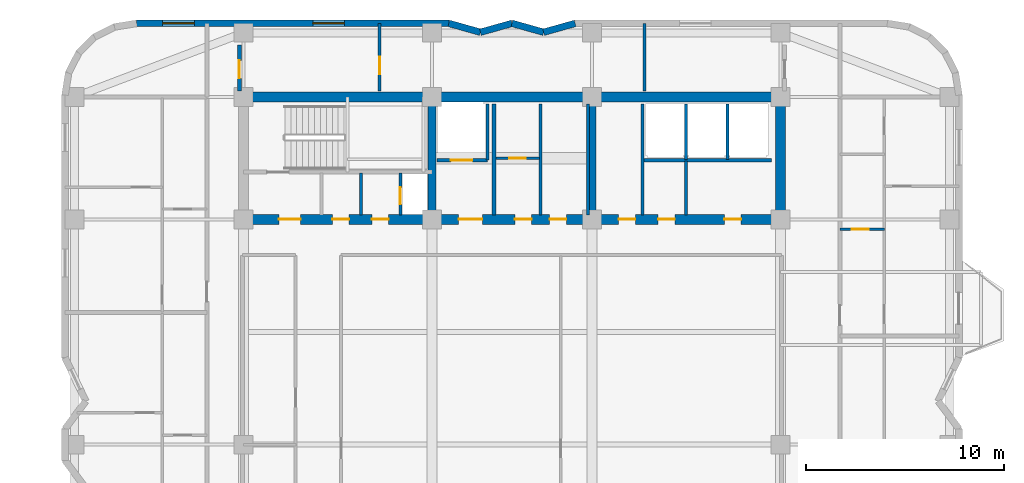
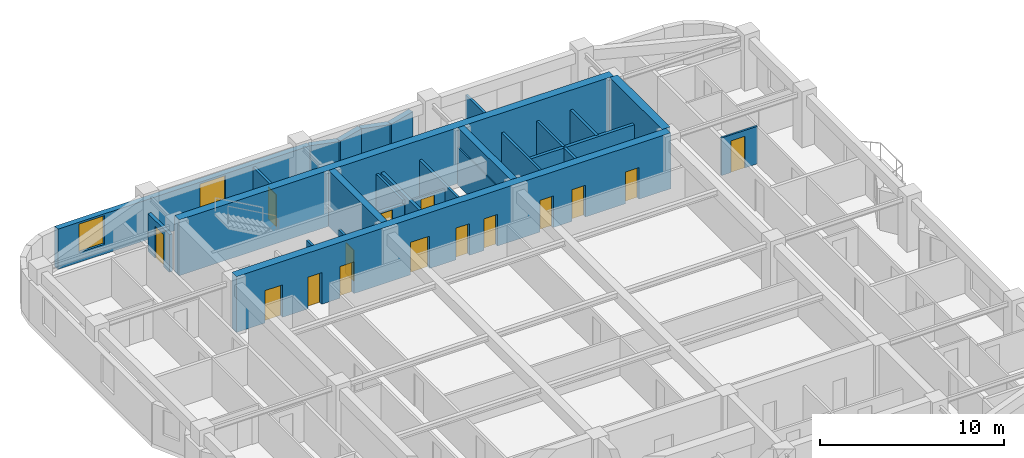
# One storey, part 6 of 9: 27 walls, 15 doors, 2 windows, 17 openings.
"""IFC4 building model written with IfcOpenShell, lengths in metres."""

import ifcopenshell
import ifcopenshell.guid

model = None  # the IFC model being written
_history = None  # IfcOwnerHistory: only IFC2X3 demands one
_inside = {}  # id of a spatial element -> (the spatial element, [elements in it])
_under = {}  # id of a project, library or spatial element -> (it, [spatial elements below it])
_declared = {}  # id of a project -> (the project, [libraries it declares])
_typed = {}  # id of a type object -> (the type object, [elements of that type])
_made_of = {}  # id of a material, layer set ... -> (it, [elements and type objects made of it])


def new_model(schema):
    """Start an empty IFC model of exactly this schema.

    Asked for "IFC4X3", IfcOpenShell would pick the latest addendum, in which some entities
    have other attributes; the version numbers below select the first issue.
    IFC2X3 requires an IfcOwnerHistory on every rooted entity: one is made here for all.
    """
    global model, _history
    if schema == "IFC4X3":
        model = ifcopenshell.file(schema_version=(4, 3, 0, 0))
    else:
        model = ifcopenshell.file(schema=schema)
    _inside.clear()
    _under.clear()
    _declared.clear()
    _typed.clear()
    _made_of.clear()
    _history = None
    if model.schema == "IFC2X3":
        org = make("IfcOrganization", Name="unknown")
        user = make(
            "IfcPersonAndOrganization",
            ThePerson=make("IfcPerson", FamilyName="unknown"),
            TheOrganization=org,
        )
        app = make(
            "IfcApplication",
            ApplicationDeveloper=org,
            Version="unknown",
            ApplicationFullName="unknown",
            ApplicationIdentifier="unknown",
        )
        _history = make(
            "IfcOwnerHistory",
            OwningUser=user,
            OwningApplication=app,
            ChangeAction="ADDED",
            CreationDate=0,
        )
    return model


def make(cls, **values):
    """One entity of the class cls with the attributes given. An attribute that is None is left unset."""
    return model.create_entity(
        cls, **{name: value for name, value in values.items() if value is not None}
    )


def rooted(cls, **values):
    """An entity with a GlobalId (a new one), such as an element, a storey or a relation."""
    return make(cls, GlobalId=ifcopenshell.guid.new(), OwnerHistory=_history, **values)


def si_unit(unit_type, name, prefix=None):
    """IfcSIUnit, for example si_unit("LENGTHUNIT", "METRE", prefix="MILLI")."""
    return make("IfcSIUnit", UnitType=unit_type, Prefix=prefix, Name=name)


def assignment(units):
    """IfcUnitAssignment: the units of a project."""
    return None if units is None else make("IfcUnitAssignment", Units=units)


def point(xyz):
    """IfcCartesianPoint."""
    return None if xyz is None else make("IfcCartesianPoint", Coordinates=xyz)


def direction(xyz):
    """IfcDirection."""
    return None if xyz is None else make("IfcDirection", DirectionRatios=xyz)


def frame(location, z_axis=None, x_axis=None):
    """IfcAxis2Placement3D, a coordinate frame: its origin and axes. An axis left out is left unset."""
    return make(
        "IfcAxis2Placement3D",
        Location=point(location),
        Axis=direction(z_axis),
        RefDirection=direction(x_axis),
    )


def frame_2d(location, x_axis=None):
    """IfcAxis2Placement2D, a coordinate frame in the plane: its origin and x axis."""
    return make(
        "IfcAxis2Placement2D", Location=point(location), RefDirection=direction(x_axis)
    )


def origin():
    """The frame at (0, 0, 0) with its axes left unset."""
    return frame((0.0, 0.0, 0.0))


def place(relative_to, where):
    """IfcLocalPlacement: puts the frame where relative to a parent placement (None: the world)."""
    return make(
        "IfcLocalPlacement", PlacementRelTo=relative_to, RelativePlacement=where
    )


def context(
    kind, dimensions, precision=None, world=None, true_north=None, identifier=None
):
    """IfcGeometricRepresentationContext, for example the 3D "Model" context."""
    return make(
        "IfcGeometricRepresentationContext",
        ContextIdentifier=identifier,
        ContextType=kind,
        CoordinateSpaceDimension=dimensions,
        Precision=precision,
        WorldCoordinateSystem=world,
        TrueNorth=true_north,
    )


def subcontext(parent, identifier, kind, view, scale=None):
    """IfcGeometricRepresentationSubContext, for example "Body" below "Model"."""
    return make(
        "IfcGeometricRepresentationSubContext",
        ContextIdentifier=identifier,
        ContextType=kind,
        ParentContext=parent,
        TargetScale=scale,
        TargetView=view,
    )


def project(units=None, contexts=None):
    """IfcProject with its units and contexts."""
    return rooted(
        "IfcProject",
        Name="project",
        RepresentationContexts=contexts,
        UnitsInContext=assignment(units),
    )


def spatial(cls, under=None, at=None, **own):
    """A site, building, storey or space (cls), placed at a placement, below another one or the project."""
    s = rooted(cls, ObjectPlacement=at, **own)
    if under is not None:
        _under.setdefault(under.id(), (under, []))[1].append(s)
    return s


def profile(cls, at=None, kind="AREA", **sizes):
    """A parametric profile (cls). Its sizes go by their IFC names, for example OverallWidth=200.0."""
    return make(cls, ProfileType=kind, Position=at, **sizes)


def rectangle(**sizes):
    """IfcRectangleProfileDef."""
    return profile("IfcRectangleProfileDef", **sizes)


def extrude(swept, where, along, depth):
    """IfcExtrudedAreaSolid: the profile swept, set in the frame where, extruded along a direction by depth."""
    return make(
        "IfcExtrudedAreaSolid",
        SweptArea=swept,
        Position=where,
        ExtrudedDirection=direction(along),
        Depth=depth,
    )


def shape(context_of_items, identifier, shape_type, items):
    """IfcShapeRepresentation: the items that make up one representation, for example the "Body"."""
    return make(
        "IfcShapeRepresentation",
        ContextOfItems=context_of_items,
        RepresentationIdentifier=identifier,
        RepresentationType=shape_type,
        Items=items,
    )


def material(Name=None, Category=None):
    """IfcMaterial."""
    return make("IfcMaterial", Name=Name, Category=Category)


def layer(
    of_material, thickness, ventilated=None, Name=None, Category=None, Priority=None
):
    """IfcMaterialLayer: one layer of a wall or slab, of a material (None: an air gap)."""
    return make(
        "IfcMaterialLayer",
        Material=of_material,
        LayerThickness=thickness,
        IsVentilated=ventilated,
        Name=Name,
        Category=Category,
        Priority=Priority,
    )


def layer_set(layers, Name=None):
    """IfcMaterialLayerSet."""
    return make("IfcMaterialLayerSet", MaterialLayers=layers, LayerSetName=Name)


def made_of(thing, what):
    """Note that an element or type object is made of a material, layer set ...; save() writes the relation."""
    if what is not None:
        _made_of.setdefault(what.id(), (what, []))[1].append(thing)
    return thing


def type_object(cls, material=None, **own):
    """A type object (cls), such as IfcWallType, which elements share."""
    return made_of(rooted(cls, **own), material)


def element(
    cls,
    number,
    at=None,
    inside=None,
    cuts=None,
    type_object=None,
    material=None,
    context=None,
    identifier="Body",
    shape_type=None,
    held_by="IfcProductDefinitionShape",
    body=None,
    shapes=None,
    **own,
):
    """One element of the class cls, such as IfcWall. Its Tag is "e" and its number.

    at: its placement. inside: the storey or other place that contains it. cuts: it is an
    opening in that element (IfcRelVoidsElement). A single representation is given by context,
    identifier, shape_type and body (its items); several are given by shapes. held_by: the class
    of the entity that holds the representations. save() writes the other relations.
    """
    e = rooted(cls, Tag="e%d" % number, ObjectPlacement=at, **own)
    if body is not None:
        shapes = [shape(context, identifier, shape_type, body)]
    if shapes is not None:
        e.Representation = make(held_by, Representations=shapes)
    if inside is not None:
        _inside.setdefault(inside.id(), (inside, []))[1].append(e)
    if cuts is not None:
        rooted(
            "IfcRelVoidsElement", RelatingBuildingElement=cuts, RelatedOpeningElement=e
        )
    if type_object is not None:
        _typed.setdefault(type_object.id(), (type_object, []))[1].append(e)
    return made_of(e, material)


def fill(opening, filler):
    """IfcRelFillsElement: the door or window that sits in an opening."""
    return rooted(
        "IfcRelFillsElement",
        RelatingOpeningElement=opening,
        RelatedBuildingElement=filler,
    )


def aggregate(whole, parts):
    """IfcRelAggregates: a whole, such as a stair, and the parts it consists of."""
    return rooted("IfcRelAggregates", RelatingObject=whole, RelatedObjects=parts)


def save(model, path):
    """Write the relations noted so far, then the file.

    IfcRelAggregates (storeys below a building ...), IfcRelContainedInSpatialStructure (elements
    in a storey), IfcRelDefinesByType, IfcRelAssociatesMaterial and IfcRelDeclares: one each for
    every whole, place, type object, material and project.
    """
    for whole, parts in _under.values():
        aggregate(whole, parts)
    for where, things in _inside.values():
        rooted(
            "IfcRelContainedInSpatialStructure",
            RelatedElements=things,
            RelatingStructure=where,
        )
    for kind, things in _typed.values():
        rooted("IfcRelDefinesByType", RelatedObjects=things, RelatingType=kind)
    for what, things in _made_of.values():
        rooted("IfcRelAssociatesMaterial", RelatedObjects=things, RelatingMaterial=what)
    for by, libraries in _declared.values():
        rooted("IfcRelDeclares", RelatingContext=by, RelatedDefinitions=libraries)
    model.write(path)


model = new_model("IFC4")

# Units and contexts
model_context = context("Model", 3, precision=1e-05, world=origin(), true_north=direction((0.0, 1.0)))
body_context = subcontext(model_context, "Body", "Model", "MODEL_VIEW")
ifc_project = project(units=[si_unit("LENGTHUNIT", "METRE"), si_unit("AREAUNIT", "SQUARE_METRE"), si_unit("VOLUMEUNIT", "CUBIC_METRE"), si_unit("PLANEANGLEUNIT", "RADIAN"), si_unit("MASSUNIT", "GRAM", prefix="KILO")], contexts=[model_context])

# Site, building, storey
site_placement = place(None, origin())
site = spatial("IfcSite", under=ifc_project, at=site_placement, CompositionType="ELEMENT")
building_placement = place(site_placement, origin())
building = spatial("IfcBuilding", under=site, at=building_placement, Name="Svetorya Sky Lyceum", CompositionType="ELEMENT")
storey_placement = place(building_placement, frame((0.0, 0.0, 192.199951171875)))
storey = spatial("IfcBuildingStorey", under=building, at=storey_placement, Name="L48", CompositionType="ELEMENT", Elevation=192.199951171875)

# Walls
ifc_material_1 = material(Name="Concrete C40/50", Category="concrete")
ifc_layer_1 = layer(ifc_material_1, 0.39990234375)
ifc_layer_set_1 = layer_set([ifc_layer_1], Name="Concrete C40/50")
wall_type_1 = type_object("IfcWallType", Name="WL-CORE-400", PredefinedType="SHEAR", material=ifc_layer_set_1)
for number, where, z_axis, x_axis, name in (
    (1, (35.14990234375, 39.85009765625, 0.0), (0.0, 0.0, 1.0), (0.0, 1.0, 0.0), "L48 NC Internal Shear Web WEB1"),
    (2, (43.25, 39.85009765625, 0.0), (0.0, 0.0, 1.0), (0.0, 1.0, 0.0), "L48 NC Internal Shear Web WEB2"),
):
    element("IfcWall", number, at=place(storey_placement, frame(where, z_axis=z_axis, x_axis=x_axis)), inside=storey, type_object=wall_type_1, Name=name, PredefinedType="SHEAR", context=body_context, shape_type="SweptSolid", body=[
        extrude(rectangle(XDim=5.699951171875, YDim=0.39990234375, at=frame_2d((2.85009765625, 0.0))), origin(), (0.0, 0.0, 1.0), 3.699951171875),
    ])
ifc_material_2 = material(Name="Concrete C50/60", Category="concrete")
ifc_layer_2 = layer(ifc_material_2, 0.5)
ifc_layer_set_2 = layer_set([ifc_layer_2], Name="Concrete C50/60")
wall_type_2 = type_object("IfcWallType", Name="WL-CORE-500", PredefinedType="SHEAR", material=ifc_layer_set_2)
wall_1_placement = place(storey_placement, frame((25.60009765625, 45.800048828125, 0.0), z_axis=(0.0, 0.0, 1.0), x_axis=(1.0, 0.0, 0.0)))
element("IfcWall", 3, at=wall_1_placement, inside=storey, type_object=wall_type_2, Name="L48 NC Outer Core Shear Wall", PredefinedType="SHEAR", context=body_context, shape_type="SweptSolid", body=[
    extrude(rectangle(XDim=27.199951171875, YDim=0.5, at=frame_2d((13.60009765625, 0.0))), origin(), (0.0, 0.0, 1.0), 3.699951171875),
])
wall_2_placement = place(storey_placement, frame((52.800048828125, 39.85009765625, 0.0), z_axis=(0.0, 0.0, 1.0), x_axis=(0.0, 1.0, 0.0)))
element("IfcWall", 4, at=wall_2_placement, inside=storey, type_object=wall_type_2, Name="L48 NC East Core Shear Wall", PredefinedType="SHEAR", context=body_context, shape_type="SweptSolid", body=[
    extrude(rectangle(XDim=5.699951171875, YDim=0.5, at=frame_2d((2.85009765625, 0.0))), origin(), (0.0, 0.0, 1.0), 3.699951171875),
])

# Wall, openings, doors
wall_3_placement = place(storey_placement, frame((52.800048828125, 39.60009765625, 0.0), z_axis=(0.0, 0.0, 1.0), x_axis=(-1.0, 0.0, 0.0)))
wall_3 = element("IfcWall", 5, at=wall_3_placement, inside=storey, type_object=wall_type_2, Name="L48 NC Inner Core Shear Wall", PredefinedType="SHEAR", context=body_context, shape_type="SweptSolid", body=[
    extrude(rectangle(XDim=27.199951171875, YDim=0.5, at=frame_2d((13.60009765625, 0.0))), origin(), (0.0, 0.0, 1.0), 3.699951171875),
])
opening_1_placement = place(wall_3_placement, frame((24.300048828125, 0.0, 0.0)))
opening_1 = element("IfcOpeningElement", 6, at=opening_1_placement, cuts=wall_3, Name="Opening D-ST1", PredefinedType="OPENING", context=body_context, shape_type="SweptSolid", body=[
    extrude(rectangle(XDim=1.10009765625, YDim=2.14990234375, at=frame_2d((0.550048828125, 1.074951171875))), frame((0.0, 0.260009765625, 0.0), z_axis=(0.0, -1.0, 0.0), x_axis=(1.0, 0.0, 0.0)), (0.0, 0.0, 1.0), 0.52001953125),
])
opening_2_placement = place(wall_3_placement, frame((21.85009765625, 0.0, 0.0)))
opening_2 = element("IfcOpeningElement", 7, at=opening_2_placement, cuts=wall_3, Name="Opening D-CWC1", PredefinedType="OPENING", context=body_context, shape_type="SweptSolid", body=[
    extrude(rectangle(XDim=0.85009765625, YDim=2.10009765625, at=frame_2d((0.425048828125, 1.050048828125))), frame((0.0, 0.260009765625, 0.0), z_axis=(0.0, -1.0, 0.0), x_axis=(1.0, 0.0, 0.0)), (0.0, 0.0, 1.0), 0.52001953125),
])
opening_3_placement = place(wall_3_placement, frame((19.85009765625, 0.0, 0.0)))
opening_3 = element("IfcOpeningElement", 8, at=opening_3_placement, cuts=wall_3, Name="Opening D-CWC1", PredefinedType="OPENING", context=body_context, shape_type="SweptSolid", body=[
    extrude(rectangle(XDim=0.85009765625, YDim=2.10009765625, at=frame_2d((0.425048828125, 1.050048828125))), frame((0.0, 0.260009765625, 0.0), z_axis=(0.0, -1.0, 0.0), x_axis=(1.0, 0.0, 0.0)), (0.0, 0.0, 1.0), 0.52001953125),
])
opening_4_placement = place(wall_3_placement, frame((15.10009765625, 0.0, 0.0)))
opening_4 = element("IfcOpeningElement", 9, at=opening_4_placement, cuts=wall_3, Name="Opening D-FL1", PredefinedType="OPENING", context=body_context, shape_type="SweptSolid", body=[
    extrude(rectangle(XDim=1.199951171875, YDim=2.14990234375, at=frame_2d((0.60009765625, 1.074951171875))), frame((0.0, 0.260009765625, 0.0), z_axis=(0.0, -1.0, 0.0), x_axis=(1.0, 0.0, 0.0)), (0.0, 0.0, 1.0), 0.52001953125),
])
opening_5_placement = place(wall_3_placement, frame((12.60009765625, 0.0, 0.0)))
opening_5 = element("IfcOpeningElement", 10, at=opening_5_placement, cuts=wall_3, Name="Opening D-CWC1", PredefinedType="OPENING", context=body_context, shape_type="SweptSolid", body=[
    extrude(rectangle(XDim=0.85009765625, YDim=2.10009765625, at=frame_2d((0.425048828125, 1.050048828125))), frame((0.0, 0.260009765625, 0.0), z_axis=(0.0, -1.0, 0.0), x_axis=(1.0, 0.0, 0.0)), (0.0, 0.0, 1.0), 0.52001953125),
])
opening_6_placement = place(wall_3_placement, frame((10.85009765625, 0.0, 0.0)))
opening_6 = element("IfcOpeningElement", 11, at=opening_6_placement, cuts=wall_3, Name="Opening D-CWC1", PredefinedType="OPENING", context=body_context, shape_type="SweptSolid", body=[
    extrude(rectangle(XDim=0.85009765625, YDim=2.10009765625, at=frame_2d((0.425048828125, 1.050048828125))), frame((0.0, 0.260009765625, 0.0), z_axis=(0.0, -1.0, 0.0), x_axis=(1.0, 0.0, 0.0)), (0.0, 0.0, 1.0), 0.52001953125),
])
opening_7_placement = place(wall_3_placement, frame((7.35009765625, 0.0, 0.0)))
opening_7 = element("IfcOpeningElement", 12, at=opening_7_placement, cuts=wall_3, Name="Opening D-CWC1", PredefinedType="OPENING", context=body_context, shape_type="SweptSolid", body=[
    extrude(rectangle(XDim=0.85009765625, YDim=2.10009765625, at=frame_2d((0.425048828125, 1.050048828125))), frame((0.0, 0.260009765625, 0.0), z_axis=(0.0, -1.0, 0.0), x_axis=(1.0, 0.0, 0.0)), (0.0, 0.0, 1.0), 0.52001953125),
])
opening_8_placement = place(wall_3_placement, frame((5.35009765625, 0.0, 0.0)))
opening_8 = element("IfcOpeningElement", 13, at=opening_8_placement, cuts=wall_3, Name="Opening D-CWC1", PredefinedType="OPENING", context=body_context, shape_type="SweptSolid", body=[
    extrude(rectangle(XDim=0.85009765625, YDim=2.10009765625, at=frame_2d((0.425048828125, 1.050048828125))), frame((0.0, 0.260009765625, 0.0), z_axis=(0.0, -1.0, 0.0), x_axis=(1.0, 0.0, 0.0)), (0.0, 0.0, 1.0), 0.52001953125),
])
opening_9_placement = place(wall_3_placement, frame((2.0, 0.0, 0.0)))
opening_9 = element("IfcOpeningElement", 14, at=opening_9_placement, cuts=wall_3, Name="Opening D-CWC1", PredefinedType="OPENING", context=body_context, shape_type="SweptSolid", body=[
    extrude(rectangle(XDim=0.85009765625, YDim=2.10009765625, at=frame_2d((0.425048828125, 1.050048828125))), frame((0.0, 0.260009765625, 0.0), z_axis=(0.0, -1.0, 0.0), x_axis=(1.0, 0.0, 0.0)), (0.0, 0.0, 1.0), 0.52001953125),
])
ifc_material_3 = material(Name="Fire-rated galvanized steel core service closet door", Category="steel")
door_type_1 = type_object("IfcDoorType", Name="DR-CWET-850", OperationType="SINGLE_SWING_LEFT", PredefinedType="DOOR", material=ifc_material_3)
door_1_placement = place(opening_2_placement, origin())
door_1 = element("IfcDoor", 15, at=door_1_placement, inside=storey, type_object=door_type_1, Name="L48 North Cleaner Door", OperationType="SINGLE_SWING_RIGHT", OverallHeight=2.10009765625, OverallWidth=0.85009765625, PredefinedType="DOOR", context=body_context, shape_type="SweptSolid", body=[
    extrude(rectangle(XDim=0.85009765625, YDim=2.10009765625, at=frame_2d((0.425048828125, 1.050048828125))), frame((0.0, 0.02490234375, 0.0), z_axis=(0.0, -1.0, 0.0), x_axis=(1.0, 0.0, 0.0)), (0.0, 0.0, 1.0), 0.050048828125),
])
fill(opening_2, door_1)
door_2_placement = place(opening_3_placement, origin())
door_2 = element("IfcDoor", 16, at=door_2_placement, inside=storey, type_object=door_type_1, Name="L48 North Meter Door", OperationType="SINGLE_SWING_LEFT", OverallHeight=2.10009765625, OverallWidth=0.85009765625, PredefinedType="DOOR", context=body_context, shape_type="SweptSolid", body=[
    extrude(rectangle(XDim=0.85009765625, YDim=2.10009765625, at=frame_2d((0.425048828125, 1.050048828125))), frame((0.0, 0.02490234375, 0.0), z_axis=(0.0, -1.0, 0.0), x_axis=(1.0, 0.0, 0.0)), (0.0, 0.0, 1.0), 0.050048828125),
])
fill(opening_3, door_2)
door_3_placement = place(opening_5_placement, origin())
door_3 = element("IfcDoor", 17, at=door_3_placement, inside=storey, type_object=door_type_1, Name="L48 Cleaner Vestibule Door", OperationType="SINGLE_SWING_LEFT", OverallHeight=2.10009765625, OverallWidth=0.85009765625, PredefinedType="DOOR", context=body_context, shape_type="SweptSolid", body=[
    extrude(rectangle(XDim=0.85009765625, YDim=2.10009765625, at=frame_2d((0.425048828125, 1.050048828125))), frame((0.0, 0.02490234375, 0.0), z_axis=(0.0, -1.0, 0.0), x_axis=(1.0, 0.0, 0.0)), (0.0, 0.0, 1.0), 0.050048828125),
])
fill(opening_5, door_3)
door_4_placement = place(opening_6_placement, origin())
door_4 = element("IfcDoor", 18, at=door_4_placement, inside=storey, type_object=door_type_1, Name="L48 Upper Pram Store Door", OperationType="SINGLE_SWING_RIGHT", OverallHeight=2.10009765625, OverallWidth=0.85009765625, PredefinedType="DOOR", context=body_context, shape_type="SweptSolid", body=[
    extrude(rectangle(XDim=0.85009765625, YDim=2.10009765625, at=frame_2d((0.425048828125, 1.050048828125))), frame((0.0, 0.02490234375, 0.0), z_axis=(0.0, -1.0, 0.0), x_axis=(1.0, 0.0, 0.0)), (0.0, 0.0, 1.0), 0.050048828125),
])
fill(opening_6, door_4)
door_5_placement = place(opening_7_placement, origin())
door_5 = element("IfcDoor", 19, at=door_5_placement, inside=storey, type_object=door_type_1, Name="L48 High-Zone Utility Room Door", OperationType="SINGLE_SWING_LEFT", OverallHeight=2.10009765625, OverallWidth=0.85009765625, PredefinedType="DOOR", context=body_context, shape_type="SweptSolid", body=[
    extrude(rectangle(XDim=0.85009765625, YDim=2.10009765625, at=frame_2d((0.425048828125, 1.050048828125))), frame((0.0, 0.02490234375, 0.0), z_axis=(0.0, -1.0, 0.0), x_axis=(1.0, 0.0, 0.0)), (0.0, 0.0, 1.0), 0.050048828125),
])
fill(opening_7, door_5)
door_6_placement = place(opening_8_placement, origin())
door_6 = element("IfcDoor", 20, at=door_6_placement, inside=storey, type_object=door_type_1, Name="L48 North Electrical Door", OperationType="SINGLE_SWING_LEFT", OverallHeight=2.10009765625, OverallWidth=0.85009765625, PredefinedType="DOOR", context=body_context, shape_type="SweptSolid", body=[
    extrude(rectangle(XDim=0.85009765625, YDim=2.10009765625, at=frame_2d((0.425048828125, 1.050048828125))), frame((0.0, 0.02490234375, 0.0), z_axis=(0.0, -1.0, 0.0), x_axis=(1.0, 0.0, 0.0)), (0.0, 0.0, 1.0), 0.050048828125),
])
fill(opening_8, door_6)
door_7_placement = place(opening_9_placement, origin())
door_7 = element("IfcDoor", 21, at=door_7_placement, inside=storey, type_object=door_type_1, Name="L48 North Pram Door", OperationType="SINGLE_SWING_RIGHT", OverallHeight=2.10009765625, OverallWidth=0.85009765625, PredefinedType="DOOR", context=body_context, shape_type="SweptSolid", body=[
    extrude(rectangle(XDim=0.85009765625, YDim=2.10009765625, at=frame_2d((0.425048828125, 1.050048828125))), frame((0.0, 0.02490234375, 0.0), z_axis=(0.0, -1.0, 0.0), x_axis=(1.0, 0.0, 0.0)), (0.0, 0.0, 1.0), 0.050048828125),
])
fill(opening_9, door_7)
ifc_material_4 = material(Name="Powder-coated insulated galvanized stair fire door")
door_type_2 = type_object("IfcDoorType", Name="DR-FIRE-1100", OperationType="SINGLE_SWING_LEFT", PredefinedType="DOOR", material=ifc_material_4)
door_8_placement = place(opening_1_placement, origin())
door_8 = element("IfcDoor", 22, at=door_8_placement, inside=storey, type_object=door_type_2, Name="L48 North Stair Airlock Door", OperationType="SINGLE_SWING_LEFT", OverallHeight=2.14990234375, OverallWidth=1.10009765625, PredefinedType="DOOR", context=body_context, shape_type="SweptSolid", body=[
    extrude(rectangle(XDim=1.10009765625, YDim=2.14990234375, at=frame_2d((0.550048828125, 1.074951171875))), frame((0.0, 0.02490234375, 0.0), z_axis=(0.0, -1.0, 0.0), x_axis=(1.0, 0.0, 0.0)), (0.0, 0.0, 1.0), 0.050048828125),
])
fill(opening_1, door_8)
ifc_material_5 = material(Name="Powder-coated insulated galvanized fire door")
door_type_3 = type_object("IfcDoorType", Name="DR-FIRE-1200", OperationType="SINGLE_SWING_LEFT", PredefinedType="DOOR", material=ifc_material_5)
door_9_placement = place(opening_4_placement, origin())
door_9 = element("IfcDoor", 23, at=door_9_placement, inside=storey, type_object=door_type_3, Name="L48 North Firefighting Lift Lobby Door", OperationType="SINGLE_SWING_RIGHT", OverallHeight=2.14990234375, OverallWidth=1.199951171875, PredefinedType="DOOR", context=body_context, shape_type="SweptSolid", body=[
    extrude(rectangle(XDim=1.199951171875, YDim=2.14990234375, at=frame_2d((0.60009765625, 1.074951171875))), frame((0.0, 0.02490234375, 0.0), z_axis=(0.0, -1.0, 0.0), x_axis=(1.0, 0.0, 0.0)), (0.0, 0.0, 1.0), 0.050048828125),
])
fill(opening_4, door_9)

# Walls
ifc_material_6 = material(Name="Putilovo limestone rainscreen on autoclaved cellular masonry", Category="masonry")
ifc_layer_3 = layer(ifc_material_6, 0.340087890625)
ifc_layer_set_3 = layer_set([ifc_layer_3], Name="Putilovo limestone rainscreen on autoclaved cellular masonry")
wall_type_3 = type_object("IfcWallType", Name="WL-EXT-340", PredefinedType="SOLIDWALL", material=ifc_layer_set_3)
wall_4_placement = place(storey_placement, frame((42.39990234375, 49.530029296875, 0.0), z_axis=(0.0, 0.0, 1.0), x_axis=(-0.962652136636, -0.270741322725, 0.0)))
element("IfcWall", 24, at=wall_4_placement, inside=storey, type_object=wall_type_3, Name="L48 Limestone Exterior Wall 30M", PredefinedType="SOLIDWALL", context=body_context, shape_type="SweptSolid", body=[
    extrude(rectangle(XDim=1.661865234375, YDim=0.340087890625, at=frame_2d((0.8310546875, 0.0))), origin(), (0.0, 0.0, 1.0), 2.66015625),
])
wall_5_placement = place(storey_placement, frame((40.800048828125, 49.080078125, 0.0), z_axis=(0.0, 0.0, 1.0), x_axis=(-0.962662902433, 0.270703040766, 0.0)))
element("IfcWall", 25, at=wall_5_placement, inside=storey, type_object=wall_type_3, Name="L48 Limestone Exterior Wall 31M", PredefinedType="SOLIDWALL", context=body_context, shape_type="SweptSolid", body=[
    extrude(rectangle(XDim=1.662109375, YDim=0.340087890625, at=frame_2d((0.8310546875, 0.0))), origin(), (0.0, 0.0, 1.0), 2.66015625),
])
wall_6_placement = place(storey_placement, frame((39.199951171875, 49.530029296875, 0.0), z_axis=(0.0, 0.0, 1.0), x_axis=(-0.962652136636, -0.270741322725, 0.0)))
element("IfcWall", 26, at=wall_6_placement, inside=storey, type_object=wall_type_3, Name="L48 Limestone Exterior Wall 32M", PredefinedType="SOLIDWALL", context=body_context, shape_type="SweptSolid", body=[
    extrude(rectangle(XDim=1.661865234375, YDim=0.340087890625, at=frame_2d((0.8310546875, 0.0))), origin(), (0.0, 0.0, 1.0), 2.66015625),
])
wall_7_placement = place(storey_placement, frame((37.60009765625, 49.080078125, 0.0), z_axis=(0.0, 0.0, 1.0), x_axis=(-0.962662902433, 0.270703040766, 0.0)))
element("IfcWall", 27, at=wall_7_placement, inside=storey, type_object=wall_type_3, Name="L48 Limestone Exterior Wall 33M", PredefinedType="SOLIDWALL", context=body_context, shape_type="SweptSolid", body=[
    extrude(rectangle(XDim=1.662109375, YDim=0.340087890625, at=frame_2d((0.8310546875, 0.0))), origin(), (0.0, 0.0, 1.0), 2.66015625),
])

# Wall, openings, windows
wall_8_placement = place(storey_placement, frame((36.0, 49.530029296875, 0.0), z_axis=(0.0, 0.0, 1.0), x_axis=(-1.0, 0.0, 0.0)))
wall_8 = element("IfcWall", 28, at=wall_8_placement, inside=storey, type_object=wall_type_3, Name="L48 Limestone Exterior Wall 34M", PredefinedType="SOLIDWALL", context=body_context, shape_type="SweptSolid", body=[
    extrude(rectangle(XDim=15.800048828125, YDim=0.340087890625, at=frame_2d((7.89990234375, 0.0))), origin(), (0.0, 0.0, 1.0), 2.66015625),
])
opening_10_placement = place(wall_8_placement, frame((5.28759765625, 0.0, 0.639892578125)))
opening_10 = element("IfcOpeningElement", 29, at=opening_10_placement, cuts=wall_8, Name="Opening W-R4", PredefinedType="OPENING", context=body_context, shape_type="SweptSolid", body=[
    extrude(rectangle(XDim=1.60009765625, YDim=1.89990234375, at=frame_2d((0.800048828125, 0.949951171875))), frame((0.0, 0.179931640625, 0.0), z_axis=(0.0, -1.0, 0.0), x_axis=(1.0, 0.0, 0.0)), (0.0, 0.0, 1.0), 0.360107421875),
])
opening_11_placement = place(wall_8_placement, frame((12.887451171875, 0.0, 0.639892578125)))
opening_11 = element("IfcOpeningElement", 30, at=opening_11_placement, cuts=wall_8, Name="Opening W-R4", PredefinedType="OPENING", context=body_context, shape_type="SweptSolid", body=[
    extrude(rectangle(XDim=1.60009765625, YDim=1.89990234375, at=frame_2d((0.800048828125, 0.949951171875))), frame((0.0, 0.179931640625, 0.0), z_axis=(0.0, -1.0, 0.0), x_axis=(1.0, 0.0, 0.0)), (0.0, 0.0, 1.0), 0.360107421875),
])
ifc_material_7 = material(Name="Thermally broken aluminium frame with triple low-E glazing", Category="aluminium")
window_type = type_object("IfcWindowType", Name="WN-RES-160", PartitioningType="DOUBLE_PANEL_VERTICAL", PredefinedType="WINDOW", material=ifc_material_7)
window_1_placement = place(opening_10_placement, origin())
window_1 = element("IfcWindow", 31, at=window_1_placement, inside=storey, type_object=window_type, Name="L48 Facade Window W-R4.34M.1", OverallHeight=1.89990234375, OverallWidth=1.60009765625, PartitioningType="SINGLE_PANEL", PredefinedType="WINDOW", context=body_context, shape_type="SweptSolid", body=[
    extrude(rectangle(XDim=1.60009765625, YDim=1.89990234375, at=frame_2d((0.800048828125, 0.949951171875))), frame((0.0, 0.030029296875, 0.0), z_axis=(0.0, -1.0, 0.0), x_axis=(1.0, 0.0, 0.0)), (0.0, 0.0, 1.0), 0.06005859375),
])
fill(opening_10, window_1)
window_2_placement = place(opening_11_placement, origin())
window_2 = element("IfcWindow", 32, at=window_2_placement, inside=storey, type_object=window_type, Name="L48 Facade Window W-R4.34M.2", OverallHeight=1.89990234375, OverallWidth=1.60009765625, PartitioningType="SINGLE_PANEL", PredefinedType="WINDOW", context=body_context, shape_type="SweptSolid", body=[
    extrude(rectangle(XDim=1.60009765625, YDim=1.89990234375, at=frame_2d((0.800048828125, 0.949951171875))), frame((0.0, 0.030029296875, 0.0), z_axis=(0.0, -1.0, 0.0), x_axis=(1.0, 0.0, 0.0)), (0.0, 0.0, 1.0), 0.06005859375),
])
fill(opening_11, window_2)

# Wall, opening, door
ifc_material_8 = material(Name="Twin-stud galvanized framing with double fireboard", Category="gypsum")
ifc_layer_4 = layer(ifc_material_8, 0.1201171875)
ifc_layer_set_4 = layer_set([ifc_layer_4], Name="Twin-stud galvanized framing with double fireboard")
wall_type_4 = type_object("IfcWallType", Name="WL-PART-120", PredefinedType="PARTITIONING", material=ifc_layer_set_4)
wall_9_placement = place(storey_placement, frame((38.39990234375, 42.699951171875, 0.0), z_axis=(0.0, 0.0, 1.0), x_axis=(1.0, 0.0, 0.0)))
wall_9 = element("IfcWall", 33, at=wall_9_placement, inside=storey, type_object=wall_type_4, Name="L48 Interior Partition NC-FPM-H", PredefinedType="PARTITIONING", context=body_context, shape_type="SweptSolid", body=[
    extrude(rectangle(XDim=2.2001953125, YDim=0.1201171875, at=frame_2d((1.10009765625, 0.0))), origin(), (0.0, 0.0, 1.0), 2.260009765625),
])
opening_12_placement = place(wall_9_placement, frame((0.64990234375, 0.0, 0.0)))
opening_12 = element("IfcOpeningElement", 34, at=opening_12_placement, cuts=wall_9, Name="Opening D-CWC1", PredefinedType="OPENING", context=body_context, shape_type="SweptSolid", body=[
    extrude(rectangle(XDim=0.85009765625, YDim=2.10009765625, at=frame_2d((0.425048828125, 1.050048828125))), frame((0.0, 0.070068359375, 0.0), z_axis=(0.0, -1.0, 0.0), x_axis=(1.0, 0.0, 0.0)), (0.0, 0.0, 1.0), 0.14013671875),
])
door_10_placement = place(opening_12_placement, origin())
door_10 = element("IfcDoor", 35, at=door_10_placement, inside=storey, type_object=door_type_1, Name="L48 Rear IT Closet Door", OperationType="SINGLE_SWING_LEFT", OverallHeight=2.10009765625, OverallWidth=0.85009765625, PredefinedType="DOOR", context=body_context, shape_type="SweptSolid", body=[
    extrude(rectangle(XDim=0.85009765625, YDim=2.10009765625, at=frame_2d((0.425048828125, 1.050048828125))), frame((0.0, 0.02490234375, 0.0), z_axis=(0.0, -1.0, 0.0), x_axis=(1.0, 0.0, 0.0)), (0.0, 0.0, 1.0), 0.050048828125),
])
fill(opening_12, door_10)

wall_10_placement = place(storey_placement, frame((55.800048828125, 39.10009765625, 0.0), z_axis=(0.0, 0.0, 1.0), x_axis=(1.0, 0.0, 0.0)))
wall_10 = element("IfcWall", 36, at=wall_10_placement, inside=storey, type_object=wall_type_4, Name="L48 Interior Partition E3-WH1", PredefinedType="PARTITIONING", context=body_context, shape_type="SweptSolid", body=[
    extrude(rectangle(XDim=2.25, YDim=0.1201171875, at=frame_2d((1.125, 0.0))), origin(), (0.0, 0.0, 1.0), 2.489990234375),
])
opening_13_placement = place(wall_10_placement, frame((0.60009765625, 0.0, 0.0)))
opening_13 = element("IfcOpeningElement", 37, at=opening_13_placement, cuts=wall_10, Name="Opening D-BT1", PredefinedType="OPENING", context=body_context, shape_type="SweptSolid", body=[
    extrude(rectangle(XDim=0.85009765625, YDim=2.10009765625, at=frame_2d((0.425048828125, 1.050048828125))), frame((0.0, 0.070068359375, 0.0), z_axis=(0.0, -1.0, 0.0), x_axis=(1.0, 0.0, 0.0)), (0.0, 0.0, 1.0), 0.14013671875),
])
ifc_material_9 = material(Name="Moisture-resistant laminate bathroom door")
door_type_4 = type_object("IfcDoorType", Name="DR-WET-850", OperationType="SINGLE_SWING_LEFT", PredefinedType="DOOR", material=ifc_material_9)
door_11_placement = place(opening_13_placement, origin())
door_11 = element("IfcDoor", 38, at=door_11_placement, inside=storey, type_object=door_type_4, Name="Apartment E3 Bathroom Door", OperationType="SINGLE_SWING_RIGHT", OverallHeight=2.10009765625, OverallWidth=0.85009765625, PredefinedType="DOOR", context=body_context, shape_type="SweptSolid", body=[
    extrude(rectangle(XDim=0.85009765625, YDim=2.10009765625, at=frame_2d((0.425048828125, 1.050048828125))), frame((0.0, 0.02490234375, 0.0), z_axis=(0.0, -1.0, 0.0), x_axis=(1.0, 0.0, 0.0)), (0.0, 0.0, 1.0), 0.050048828125),
])
fill(opening_13, door_11)

ifc_material_10 = material(Name="Autoclaved cellular masonry blockwork with acoustic render", Category="masonry")
ifc_layer_5 = layer(ifc_material_10, 0.14990234375)
ifc_layer_set_5 = layer_set([ifc_layer_5], Name="Autoclaved cellular masonry blockwork with acoustic render")
wall_type_5 = type_object("IfcWallType", Name="WL-PART-150", PredefinedType="PARTITIONING", material=ifc_layer_set_5)
wall_11_placement = place(storey_placement, frame((33.550048828125, 39.820068359375, 0.0), z_axis=(0.0, 0.0, 1.0), x_axis=(0.0, 1.0, 0.0)))
wall_11 = element("IfcWall", 39, at=wall_11_placement, inside=storey, type_object=wall_type_5, Name="L48 Interior Partition NC-RSRW", PredefinedType="PARTITIONING", context=body_context, shape_type="SweptSolid", body=[
    extrude(rectangle(XDim=2.1298828125, YDim=0.14990234375, at=frame_2d((1.06494140625, 0.0))), origin(), (0.0, 0.0, 1.0), 2.489990234375),
])
opening_14_placement = place(wall_11_placement, frame((0.550048828125, 0.0, 0.0)))
opening_14 = element("IfcOpeningElement", 40, at=opening_14_placement, cuts=wall_11, Name="Opening D-SH1", PredefinedType="OPENING", context=body_context, shape_type="SweptSolid", body=[
    extrude(rectangle(XDim=0.85009765625, YDim=2.050048828125, at=frame_2d((0.425048828125, 1.02490234375))), frame((0.0, 0.0849609375, 0.0), z_axis=(0.0, -1.0, 0.0), x_axis=(1.0, 0.0, 0.0)), (0.0, 0.0, 1.0), 0.169921875),
])
ifc_material_11 = material(Name="Insulated galvanized riser inspection fire door")
door_type_5 = type_object("IfcDoorType", Name="DR-SHFT-850", OperationType="SINGLE_SWING_LEFT", PredefinedType="TRAPDOOR", material=ifc_material_11)
door_12_placement = place(opening_14_placement, origin())
door_12 = element("IfcDoor", 41, at=door_12_placement, inside=storey, type_object=door_type_5, Name="L48 North Riser Access Door", OperationType="SINGLE_SWING_LEFT", OverallHeight=2.050048828125, OverallWidth=0.85009765625, PredefinedType="TRAPDOOR", context=body_context, shape_type="SweptSolid", body=[
    extrude(rectangle(XDim=0.85009765625, YDim=2.050048828125, at=frame_2d((0.425048828125, 1.02490234375))), frame((0.0, 0.02490234375, 0.0), z_axis=(0.0, -1.0, 0.0), x_axis=(1.0, 0.0, 0.0)), (0.0, 0.0, 1.0), 0.050048828125),
])
fill(opening_14, door_12)

# Walls
wall_12_placement = place(storey_placement, frame((31.550048828125, 39.820068359375, 0.0), z_axis=(0.0, 0.0, 1.0), x_axis=(0.0, 1.0, 0.0)))
element("IfcWall", 42, at=wall_12_placement, inside=storey, type_object=wall_type_5, Name="L48 Interior Partition NC-NWD2", PredefinedType="PARTITIONING", context=body_context, shape_type="SweptSolid", body=[
    extrude(rectangle(XDim=2.1298828125, YDim=0.14990234375, at=frame_2d((1.06494140625, 0.0))), origin(), (0.0, 0.0, 1.0), 2.489990234375),
])
wall_13_placement = place(storey_placement, frame((37.949951171875, 42.60009765625, 0.0), z_axis=(0.0, 0.0, 1.0), x_axis=(0.0, 1.0, 0.0)))
element("IfcWall", 43, at=wall_13_placement, inside=storey, type_object=wall_type_5, Name="L48 Interior Partition NC-FL1SIDE", PredefinedType="PARTITIONING", context=body_context, shape_type="SweptSolid", body=[
    extrude(rectangle(XDim=2.849853515625, YDim=0.14990234375, at=frame_2d((1.4248046875, 0.0))), origin(), (0.0, 0.0, 1.0), 2.489990234375),
])
for number, where, z_axis, x_axis, name in (
    (44, (43.050048828125, 39.820068359375, 0.0), (0.0, 0.0, 1.0), (0.0, 1.0, 0.0), "L48 Interior Partition NC-FPM-END"),
    (45, (40.64990234375, 39.820068359375, 0.0), (0.0, 0.0, 1.0), (0.0, 1.0, 0.0), "L48 Interior Partition NC-FPM-V"),
    (46, (45.800048828125, 39.820068359375, 0.0), (0.0, 0.0, 1.0), (0.0, 1.0, 0.0), "L48 Interior Partition NC-PM3-FULL"),
):
    element("IfcWall", number, at=place(storey_placement, frame(where, z_axis=z_axis, x_axis=x_axis)), inside=storey, type_object=wall_type_5, Name=name, PredefinedType="PARTITIONING", context=body_context, shape_type="SweptSolid", body=[
        extrude(rectangle(XDim=5.6298828125, YDim=0.14990234375, at=frame_2d((2.81494140625, 0.0))), origin(), (0.0, 0.0, 1.0), 2.489990234375),
    ])
for number, where, z_axis, x_axis, name in (
    (47, (48.0, 42.64990234375, 0.0), (0.0, 0.0, 1.0), (0.0, 1.0, 0.0), "L48 Interior Partition NC-PH-D1"),
    (48, (50.10009765625, 42.64990234375, 0.0), (0.0, 0.0, 1.0), (0.0, 1.0, 0.0), "L48 Interior Partition NC-PH-D2"),
):
    element("IfcWall", number, at=place(storey_placement, frame(where, z_axis=z_axis, x_axis=x_axis)), inside=storey, type_object=wall_type_5, Name=name, PredefinedType="PARTITIONING", context=body_context, shape_type="SweptSolid", body=[
        extrude(rectangle(XDim=2.800048828125, YDim=0.14990234375, at=frame_2d((1.39990234375, 0.0))), origin(), (0.0, 0.0, 1.0), 2.489990234375),
    ])
wall_14_placement = place(storey_placement, frame((48.0, 39.820068359375, 0.0), z_axis=(0.0, 0.0, 1.0), x_axis=(0.0, 1.0, 0.0)))
element("IfcWall", 49, at=wall_14_placement, inside=storey, type_object=wall_type_5, Name="L48 Interior Partition NC-ED1", PredefinedType="PARTITIONING", context=body_context, shape_type="SweptSolid", body=[
    extrude(rectangle(XDim=2.72998046875, YDim=0.14990234375, at=frame_2d((1.364990234375, 0.0))), origin(), (0.0, 0.0, 1.0), 2.489990234375),
])

# Wall, opening, door
wall_15_placement = place(storey_placement, frame((32.5, 46.10009765625, 0.0), z_axis=(0.0, 0.0, 1.0), x_axis=(0.0, 1.0, 0.0)))
wall_15 = element("IfcWall", 50, at=wall_15_placement, inside=storey, type_object=wall_type_5, Name="L48 Interior Partition N-D1", PredefinedType="PARTITIONING", context=body_context, shape_type="SweptSolid", body=[
    extrude(rectangle(XDim=3.429931640625, YDim=0.14990234375, at=frame_2d((1.71484375, 0.0))), origin(), (0.0, 0.0, 1.0), 2.489990234375),
])
opening_15_placement = place(wall_15_placement, frame((0.85009765625, 0.0, 0.0)))
opening_15 = element("IfcOpeningElement", 51, at=opening_15_placement, cuts=wall_15, Name="Opening D-RM1", PredefinedType="OPENING", context=body_context, shape_type="SweptSolid", body=[
    extrude(rectangle(XDim=0.89990234375, YDim=2.10009765625, at=frame_2d((0.449951171875, 1.050048828125))), frame((0.0, 0.0849609375, 0.0), z_axis=(0.0, -1.0, 0.0), x_axis=(1.0, 0.0, 0.0)), (0.0, 0.0, 1.0), 0.169921875),
])
ifc_material_12 = material(Name="Lacquered birch veneer internal door")
door_type_6 = type_object("IfcDoorType", Name="DR-INT-900", OperationType="SINGLE_SWING_LEFT", PredefinedType="DOOR", material=ifc_material_12)
door_13_placement = place(opening_15_placement, origin())
door_13 = element("IfcDoor", 52, at=door_13_placement, inside=storey, type_object=door_type_6, Name="L48 North Store Door", OperationType="SINGLE_SWING_RIGHT", OverallHeight=2.10009765625, OverallWidth=0.89990234375, PredefinedType="DOOR", context=body_context, shape_type="SweptSolid", body=[
    extrude(rectangle(XDim=0.89990234375, YDim=2.10009765625, at=frame_2d((0.449951171875, 1.050048828125))), frame((0.0, 0.02490234375, 0.0), z_axis=(0.0, -1.0, 0.0), x_axis=(1.0, 0.0, 0.0)), (0.0, 0.0, 1.0), 0.050048828125),
])
fill(opening_15, door_13)

# Wall
wall_16_placement = place(storey_placement, frame((45.89990234375, 46.10009765625, 0.0), z_axis=(0.0, 0.0, 1.0), x_axis=(0.0, 1.0, 0.0)))
element("IfcWall", 53, at=wall_16_placement, inside=storey, type_object=wall_type_5, Name="L48 Interior Partition N-D2", PredefinedType="PARTITIONING", context=body_context, shape_type="SweptSolid", body=[
    extrude(rectangle(XDim=3.429931640625, YDim=0.14990234375, at=frame_2d((1.71484375, 0.0))), origin(), (0.0, 0.0, 1.0), 2.489990234375),
])

# Wall, opening, door
ifc_material_13 = material(Name="Autoclaved cellular masonry blockwork with gypsum plaster", Category="masonry")
ifc_layer_6 = layer(ifc_material_13, 0.199951171875)
ifc_layer_set_6 = layer_set([ifc_layer_6], Name="Autoclaved cellular masonry blockwork with gypsum plaster")
wall_type_6 = type_object("IfcWallType", Name="WL-PART-200", PredefinedType="PARTITIONING", material=ifc_layer_set_6)
wall_17_placement = place(storey_placement, frame((37.949951171875, 42.60009765625, 0.0), z_axis=(0.0, 0.0, 1.0), x_axis=(-1.0, 0.0, 0.0)))
wall_17 = element("IfcWall", 54, at=wall_17_placement, inside=storey, type_object=wall_type_6, Name="L48 Interior Partition NC-FL1W", PredefinedType="PARTITIONING", context=body_context, shape_type="SweptSolid", body=[
    extrude(rectangle(XDim=2.550048828125, YDim=0.199951171875, at=frame_2d((1.27490234375, 0.0))), origin(), (0.0, 0.0, 1.0), 2.260009765625),
])
opening_16_placement = place(wall_17_placement, frame((0.75, 0.0, 0.0)))
opening_16 = element("IfcOpeningElement", 55, at=opening_16_placement, cuts=wall_17, Name="Opening LD-FL", PredefinedType="OPENING", context=body_context, shape_type="SweptSolid", body=[
    extrude(rectangle(XDim=1.10009765625, YDim=2.14990234375, at=frame_2d((0.550048828125, 1.074951171875))), frame((0.0, 0.10986328125, 0.0), z_axis=(0.0, -1.0, 0.0), x_axis=(1.0, 0.0, 0.0)), (0.0, 0.0, 1.0), 0.219970703125),
])
ifc_material_14 = material(Name="Fire-rated stainless AISI 304 firefighting lift landing door")
door_type_7 = type_object("IfcDoorType", Name="DR-LIFT-1100", OperationType="SLIDING_TO_LEFT", PredefinedType="DOOR", material=ifc_material_14)
door_14_placement = place(opening_16_placement, origin())
door_14 = element("IfcDoor", 56, at=door_14_placement, inside=storey, type_object=door_type_7, Name="L48 Firefighting Lift FL1 Landing Door", OperationType="SLIDING_TO_LEFT", OverallHeight=2.14990234375, OverallWidth=1.10009765625, PredefinedType="DOOR", context=body_context, shape_type="SweptSolid", body=[
    extrude(rectangle(XDim=1.10009765625, YDim=2.14990234375, at=frame_2d((0.550048828125, 1.074951171875))), frame((0.0, 0.02490234375, 0.0), z_axis=(0.0, -1.0, 0.0), x_axis=(1.0, 0.0, 0.0)), (0.0, 0.0, 1.0), 0.050048828125),
])
fill(opening_16, door_14)

# Walls
wall_18_placement = place(storey_placement, frame((38.280029296875, 39.820068359375, 0.0), z_axis=(0.0, 0.0, 1.0), x_axis=(0.0, 1.0, 0.0)))
element("IfcWall", 57, at=wall_18_placement, inside=storey, type_object=wall_type_6, Name="L48 Interior Partition NC-FFLDIV", PredefinedType="PARTITIONING", context=body_context, shape_type="SweptSolid", body=[
    extrude(rectangle(XDim=5.6298828125, YDim=0.199951171875, at=frame_2d((2.81494140625, 0.0))), origin(), (0.0, 0.0, 1.0), 2.489990234375),
])
wall_19_placement = place(storey_placement, frame((52.35009765625, 42.60009765625, 0.0), z_axis=(0.0, 0.0, 1.0), x_axis=(-1.0, 0.0, 0.0)))
element("IfcWall", 58, at=wall_19_placement, inside=storey, type_object=wall_type_6, Name="L48 Interior Partition NC-PHEW", PredefinedType="PARTITIONING", context=body_context, shape_type="SweptSolid", body=[
    extrude(rectangle(XDim=6.5, YDim=0.199951171875, at=frame_2d((3.25, 0.0))), origin(), (0.0, 0.0, 1.0), 2.489990234375),
])

# Wall, opening, door
wall_20_placement = place(storey_placement, frame((25.39990234375, 46.10009765625, 0.0), z_axis=(0.0, 0.0, 1.0), x_axis=(0.0, 1.0, 0.0)))
wall_20 = element("IfcWall", 59, at=wall_20_placement, inside=storey, type_object=wall_type_6, Name="L48 Interior Partition N-EW", PredefinedType="PARTITIONING", context=body_context, shape_type="SweptSolid", body=[
    extrude(rectangle(XDim=2.329833984375, YDim=0.199951171875, at=frame_2d((1.1650390625, 0.0))), origin(), (0.0, 0.0, 1.0), 2.489990234375),
])
opening_17_placement = place(wall_20_placement, frame((0.64990234375, 0.0, 0.0)))
opening_17 = element("IfcOpeningElement", 60, at=opening_17_placement, cuts=wall_20, Name="Opening D-RM1", PredefinedType="OPENING", context=body_context, shape_type="SweptSolid", body=[
    extrude(rectangle(XDim=0.89990234375, YDim=2.10009765625, at=frame_2d((0.449951171875, 1.050048828125))), frame((0.0, 0.10986328125, 0.0), z_axis=(0.0, -1.0, 0.0), x_axis=(1.0, 0.0, 0.0)), (0.0, 0.0, 1.0), 0.219970703125),
])
door_15_placement = place(opening_17_placement, origin())
door_15 = element("IfcDoor", 61, at=door_15_placement, inside=storey, type_object=door_type_6, Name="L48 North Study Door", OperationType="SINGLE_SWING_RIGHT", OverallHeight=2.10009765625, OverallWidth=0.89990234375, PredefinedType="DOOR", context=body_context, shape_type="SweptSolid", body=[
    extrude(rectangle(XDim=0.89990234375, YDim=2.10009765625, at=frame_2d((0.449951171875, 1.050048828125))), frame((0.0, 0.02490234375, 0.0), z_axis=(0.0, -1.0, 0.0), x_axis=(1.0, 0.0, 0.0)), (0.0, 0.0, 1.0), 0.050048828125),
])
fill(opening_17, door_15)

save(model, "model.ifc")
